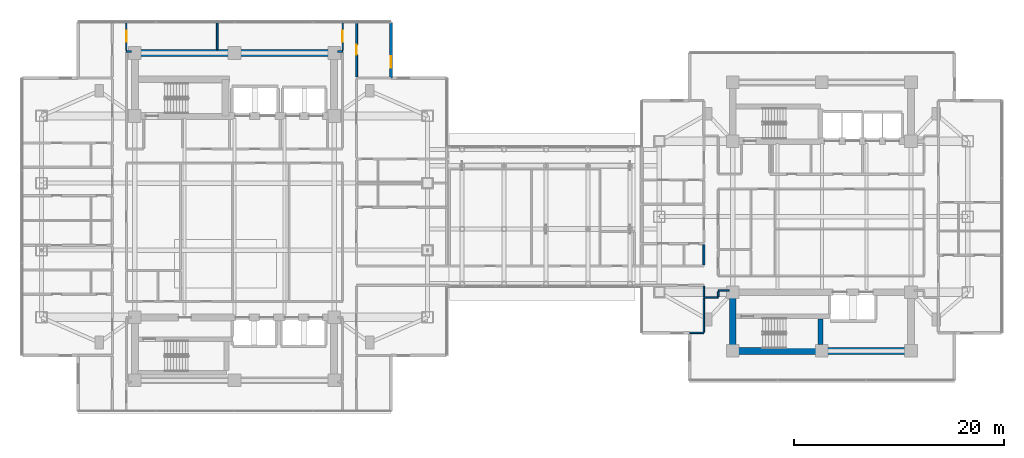
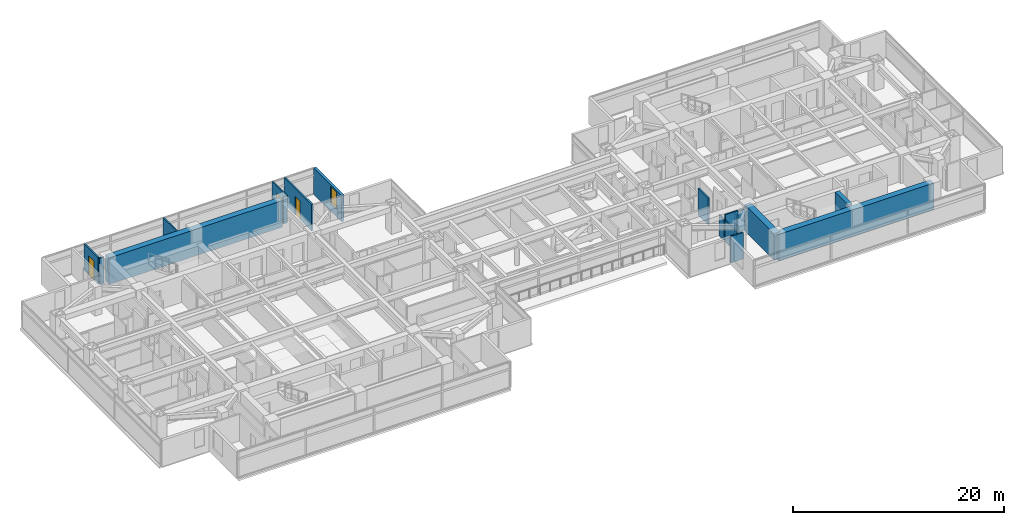
# One storey, part 19 of 29: 18 walls, 3 doors, 1 window, 4 openings.
"""IFC4 building model written with IfcOpenShell, lengths in metres."""

import ifcopenshell
import ifcopenshell.guid

model = None  # the IFC model being written
_history = None  # IfcOwnerHistory: only IFC2X3 demands one
_inside = {}  # id of a spatial element -> (the spatial element, [elements in it])
_under = {}  # id of a project, library or spatial element -> (it, [spatial elements below it])
_declared = {}  # id of a project -> (the project, [libraries it declares])
_typed = {}  # id of a type object -> (the type object, [elements of that type])
_made_of = {}  # id of a material, layer set ... -> (it, [elements and type objects made of it])


def new_model(schema):
    """Start an empty IFC model of exactly this schema.

    Asked for "IFC4X3", IfcOpenShell would pick the latest addendum, in which some entities
    have other attributes; the version numbers below select the first issue.
    IFC2X3 requires an IfcOwnerHistory on every rooted entity: one is made here for all.
    """
    global model, _history
    if schema == "IFC4X3":
        model = ifcopenshell.file(schema_version=(4, 3, 0, 0))
    else:
        model = ifcopenshell.file(schema=schema)
    _inside.clear()
    _under.clear()
    _declared.clear()
    _typed.clear()
    _made_of.clear()
    _history = None
    if model.schema == "IFC2X3":
        org = make("IfcOrganization", Name="unknown")
        user = make(
            "IfcPersonAndOrganization",
            ThePerson=make("IfcPerson", FamilyName="unknown"),
            TheOrganization=org,
        )
        app = make(
            "IfcApplication",
            ApplicationDeveloper=org,
            Version="unknown",
            ApplicationFullName="unknown",
            ApplicationIdentifier="unknown",
        )
        _history = make(
            "IfcOwnerHistory",
            OwningUser=user,
            OwningApplication=app,
            ChangeAction="ADDED",
            CreationDate=0,
        )
    return model


def make(cls, **values):
    """One entity of the class cls with the attributes given. An attribute that is None is left unset."""
    return model.create_entity(
        cls, **{name: value for name, value in values.items() if value is not None}
    )


def rooted(cls, **values):
    """An entity with a GlobalId (a new one), such as an element, a storey or a relation."""
    return make(cls, GlobalId=ifcopenshell.guid.new(), OwnerHistory=_history, **values)


def si_unit(unit_type, name, prefix=None):
    """IfcSIUnit, for example si_unit("LENGTHUNIT", "METRE", prefix="MILLI")."""
    return make("IfcSIUnit", UnitType=unit_type, Prefix=prefix, Name=name)


def assignment(units):
    """IfcUnitAssignment: the units of a project."""
    return None if units is None else make("IfcUnitAssignment", Units=units)


def point(xyz):
    """IfcCartesianPoint."""
    return None if xyz is None else make("IfcCartesianPoint", Coordinates=xyz)


def direction(xyz):
    """IfcDirection."""
    return None if xyz is None else make("IfcDirection", DirectionRatios=xyz)


def frame(location, z_axis=None, x_axis=None):
    """IfcAxis2Placement3D, a coordinate frame: its origin and axes. An axis left out is left unset."""
    return make(
        "IfcAxis2Placement3D",
        Location=point(location),
        Axis=direction(z_axis),
        RefDirection=direction(x_axis),
    )


def frame_2d(location, x_axis=None):
    """IfcAxis2Placement2D, a coordinate frame in the plane: its origin and x axis."""
    return make(
        "IfcAxis2Placement2D", Location=point(location), RefDirection=direction(x_axis)
    )


def origin():
    """The frame at (0, 0, 0) with its axes left unset."""
    return frame((0.0, 0.0, 0.0))


def place(relative_to, where):
    """IfcLocalPlacement: puts the frame where relative to a parent placement (None: the world)."""
    return make(
        "IfcLocalPlacement", PlacementRelTo=relative_to, RelativePlacement=where
    )


def context(
    kind, dimensions, precision=None, world=None, true_north=None, identifier=None
):
    """IfcGeometricRepresentationContext, for example the 3D "Model" context."""
    return make(
        "IfcGeometricRepresentationContext",
        ContextIdentifier=identifier,
        ContextType=kind,
        CoordinateSpaceDimension=dimensions,
        Precision=precision,
        WorldCoordinateSystem=world,
        TrueNorth=true_north,
    )


def subcontext(parent, identifier, kind, view, scale=None):
    """IfcGeometricRepresentationSubContext, for example "Body" below "Model"."""
    return make(
        "IfcGeometricRepresentationSubContext",
        ContextIdentifier=identifier,
        ContextType=kind,
        ParentContext=parent,
        TargetScale=scale,
        TargetView=view,
    )


def project(units=None, contexts=None):
    """IfcProject with its units and contexts."""
    return rooted(
        "IfcProject",
        Name="project",
        RepresentationContexts=contexts,
        UnitsInContext=assignment(units),
    )


def spatial(cls, under=None, at=None, **own):
    """A site, building, storey or space (cls), placed at a placement, below another one or the project."""
    s = rooted(cls, ObjectPlacement=at, **own)
    if under is not None:
        _under.setdefault(under.id(), (under, []))[1].append(s)
    return s


def profile(cls, at=None, kind="AREA", **sizes):
    """A parametric profile (cls). Its sizes go by their IFC names, for example OverallWidth=200.0."""
    return make(cls, ProfileType=kind, Position=at, **sizes)


def rectangle(**sizes):
    """IfcRectangleProfileDef."""
    return profile("IfcRectangleProfileDef", **sizes)


def extrude(swept, where, along, depth):
    """IfcExtrudedAreaSolid: the profile swept, set in the frame where, extruded along a direction by depth."""
    return make(
        "IfcExtrudedAreaSolid",
        SweptArea=swept,
        Position=where,
        ExtrudedDirection=direction(along),
        Depth=depth,
    )


def shape(context_of_items, identifier, shape_type, items):
    """IfcShapeRepresentation: the items that make up one representation, for example the "Body"."""
    return make(
        "IfcShapeRepresentation",
        ContextOfItems=context_of_items,
        RepresentationIdentifier=identifier,
        RepresentationType=shape_type,
        Items=items,
    )


def material(Name=None, Category=None):
    """IfcMaterial."""
    return make("IfcMaterial", Name=Name, Category=Category)


def layer(
    of_material, thickness, ventilated=None, Name=None, Category=None, Priority=None
):
    """IfcMaterialLayer: one layer of a wall or slab, of a material (None: an air gap)."""
    return make(
        "IfcMaterialLayer",
        Material=of_material,
        LayerThickness=thickness,
        IsVentilated=ventilated,
        Name=Name,
        Category=Category,
        Priority=Priority,
    )


def layer_set(layers, Name=None):
    """IfcMaterialLayerSet."""
    return make("IfcMaterialLayerSet", MaterialLayers=layers, LayerSetName=Name)


def made_of(thing, what):
    """Note that an element or type object is made of a material, layer set ...; save() writes the relation."""
    if what is not None:
        _made_of.setdefault(what.id(), (what, []))[1].append(thing)
    return thing


def type_object(cls, material=None, **own):
    """A type object (cls), such as IfcWallType, which elements share."""
    return made_of(rooted(cls, **own), material)


def element(
    cls,
    number,
    at=None,
    inside=None,
    cuts=None,
    type_object=None,
    material=None,
    context=None,
    identifier="Body",
    shape_type=None,
    held_by="IfcProductDefinitionShape",
    body=None,
    shapes=None,
    **own,
):
    """One element of the class cls, such as IfcWall. Its Tag is "e" and its number.

    at: its placement. inside: the storey or other place that contains it. cuts: it is an
    opening in that element (IfcRelVoidsElement). A single representation is given by context,
    identifier, shape_type and body (its items); several are given by shapes. held_by: the class
    of the entity that holds the representations. save() writes the other relations.
    """
    e = rooted(cls, Tag="e%d" % number, ObjectPlacement=at, **own)
    if body is not None:
        shapes = [shape(context, identifier, shape_type, body)]
    if shapes is not None:
        e.Representation = make(held_by, Representations=shapes)
    if inside is not None:
        _inside.setdefault(inside.id(), (inside, []))[1].append(e)
    if cuts is not None:
        rooted(
            "IfcRelVoidsElement", RelatingBuildingElement=cuts, RelatedOpeningElement=e
        )
    if type_object is not None:
        _typed.setdefault(type_object.id(), (type_object, []))[1].append(e)
    return made_of(e, material)


def fill(opening, filler):
    """IfcRelFillsElement: the door or window that sits in an opening."""
    return rooted(
        "IfcRelFillsElement",
        RelatingOpeningElement=opening,
        RelatedBuildingElement=filler,
    )


def aggregate(whole, parts):
    """IfcRelAggregates: a whole, such as a stair, and the parts it consists of."""
    return rooted("IfcRelAggregates", RelatingObject=whole, RelatedObjects=parts)


def save(model, path):
    """Write the relations noted so far, then the file.

    IfcRelAggregates (storeys below a building ...), IfcRelContainedInSpatialStructure (elements
    in a storey), IfcRelDefinesByType, IfcRelAssociatesMaterial and IfcRelDeclares: one each for
    every whole, place, type object, material and project.
    """
    for whole, parts in _under.values():
        aggregate(whole, parts)
    for where, things in _inside.values():
        rooted(
            "IfcRelContainedInSpatialStructure",
            RelatedElements=things,
            RelatingStructure=where,
        )
    for kind, things in _typed.values():
        rooted("IfcRelDefinesByType", RelatedObjects=things, RelatingType=kind)
    for what, things in _made_of.values():
        rooted("IfcRelAssociatesMaterial", RelatedObjects=things, RelatingMaterial=what)
    for by, libraries in _declared.values():
        rooted("IfcRelDeclares", RelatingContext=by, RelatedDefinitions=libraries)
    model.write(path)


model = new_model("IFC4")

# Units and contexts
model_context = context("Model", 3, precision=1e-05, world=origin(), true_north=direction((0.0, 1.0)))
body_context = subcontext(model_context, "Body", "Model", "MODEL_VIEW")
ifc_project = project(units=[si_unit("LENGTHUNIT", "METRE"), si_unit("AREAUNIT", "SQUARE_METRE"), si_unit("VOLUMEUNIT", "CUBIC_METRE"), si_unit("PLANEANGLEUNIT", "RADIAN"), si_unit("MASSUNIT", "GRAM", prefix="KILO")], contexts=[model_context])

# Site, building, storey
site_placement = place(None, origin())
site = spatial("IfcSite", under=ifc_project, at=site_placement, CompositionType="ELEMENT")
building_placement = place(site_placement, origin())
building = spatial("IfcBuilding", under=site, at=building_placement, Name="Mirazonda Arch Towers", CompositionType="ELEMENT")
storey_placement = place(building_placement, frame((0.0, 0.0, 88.39990234375)))
storey = spatial("IfcBuildingStorey", under=building, at=storey_placement, Name="L24", CompositionType="ELEMENT", Elevation=88.39990234375)

# Walls
ifc_material_1 = material(Name="Concrete C50/60", Category="concrete")
ifc_layer_1 = layer(ifc_material_1, 0.449951171875, Name="WALL-CORE-450")
ifc_layer_set_1 = layer_set([ifc_layer_1], Name="Concrete C50/60")
wall_type_1 = type_object("IfcWallType", Name="WALL-CORE-450", PredefinedType="SHEAR", material=ifc_layer_set_1)
wall_1_placement = place(storey_placement, frame((76.360107421875, 15.81494140625, 0.0), z_axis=(0.0, 0.0, 1.0), x_axis=(0.0, 1.0, 0.0)))
element("IfcWall", 1, at=wall_1_placement, inside=storey, type_object=wall_type_1, Name="L24 Stair Core Shear Wall 154", PredefinedType="SHEAR", context=body_context, shape_type="SweptSolid", body=[
    extrude(rectangle(XDim=2.449951171875, YDim=0.449951171875, at=frame_2d((1.22509765625, 0.0))), origin(), (0.0, 0.0, 1.0), 3.080078125),
])
ifc_material_2 = material(Name="Concrete C60/75", Category="concrete")
ifc_layer_2 = layer(ifc_material_2, 0.64990234375, Name="WALL-CORE-650")
ifc_layer_set_2 = layer_set([ifc_layer_2], Name="Concrete C60/75")
wall_type_2 = type_object("IfcWallType", Name="WALL-CORE-650", PredefinedType="SHEAR", material=ifc_layer_set_2)
wall_2_placement = place(storey_placement, frame((11.0, 43.60009765625, 0.0), z_axis=(0.0, 0.0, 1.0), x_axis=(1.0, 0.0, 0.0)))
element("IfcWall", 2, at=wall_2_placement, inside=storey, type_object=wall_type_2, Name="L24 T1N-N Core Shear Wall", PredefinedType="SHEAR", context=body_context, shape_type="SweptSolid", body=[
    extrude(rectangle(XDim=19.0, YDim=0.64990234375, at=frame_2d((9.5, 0.0))), origin(), (0.0, 0.0, 1.0), 3.080078125),
])
wall_3_placement = place(storey_placement, frame((68.0, 15.199951171875, 0.0), z_axis=(0.0, 0.0, 1.0), x_axis=(1.0, 0.0, 0.0)))
element("IfcWall", 3, at=wall_3_placement, inside=storey, type_object=wall_type_2, Name="L24 T2S-S Core Shear Wall", PredefinedType="SHEAR", context=body_context, shape_type="SweptSolid", body=[
    extrude(rectangle(XDim=17.0, YDim=0.64990234375, at=frame_2d((8.5, 0.0))), origin(), (0.0, 0.0, 1.0), 3.080078125),
])
wall_4_placement = place(storey_placement, frame((68.0, 15.199951171875, 0.0), z_axis=(0.0, 0.0, 1.0), x_axis=(0.0, 1.0, 0.0)))
element("IfcWall", 4, at=wall_4_placement, inside=storey, type_object=wall_type_2, Name="L24 T2S-W Core Shear Wall", PredefinedType="SHEAR", context=body_context, shape_type="SweptSolid", body=[
    extrude(rectangle(XDim=5.60009765625, YDim=0.64990234375, at=frame_2d((2.800048828125, 0.0))), origin(), (0.0, 0.0, 1.0), 3.080078125),
])

# Wall, opening, window
ifc_material_3 = material(Name="Precast Concrete C40/50", Category="concrete")
ifc_layer_3 = layer(ifc_material_3, 0.280029296875, Name="WALL-EXT-WALL-280")
ifc_layer_set_3 = layer_set([ifc_layer_3], Name="Precast Concrete C40/50")
wall_type_3 = type_object("IfcWallType", Name="WALL-EXT-WALL-280", PredefinedType="SOLIDWALL", material=ifc_layer_set_3)
wall_5_placement = place(storey_placement, frame((35.425048828125, 41.22509765625, 0.0), z_axis=(0.0, 0.0, 1.0), x_axis=(0.0, 1.0, 0.0)))
wall_5 = element("IfcWall", 5, at=wall_5_placement, inside=storey, type_object=wall_type_3, Name="L24 T1 Notched NE Corner Wall WL-L24-T1-CNE", PredefinedType="SOLIDWALL", context=body_context, shape_type="SweptSolid", body=[
    extrude(rectangle(XDim=5.304931640625, YDim=0.280029296875, at=frame_2d((2.65234375, 0.0))), origin(), (0.0, 0.0, 1.0), 3.06005859375),
])
opening_1_placement = place(wall_5_placement, frame((0.949951171875, 0.0, 0.85009765625)))
opening_1 = element("IfcOpeningElement", 6, at=opening_1_placement, cuts=wall_5, Name="Opening WN-108", PredefinedType="OPENING", context=body_context, shape_type="SweptSolid", body=[
    extrude(rectangle(XDim=1.10009765625, YDim=2.0, at=frame_2d((0.550048828125, 1.0))), frame((0.0, 0.14990234375, 0.0), z_axis=(0.0, -1.0, 0.0), x_axis=(1.0, 0.0, 0.0)), (0.0, 0.0, 1.0), 0.300048828125),
])
ifc_material_4 = material(Name="Insulated Low-E Solar Glass", Category="glass")
window_type = type_object("IfcWindowType", Name="WIN-NOTCH-1100x2000", PartitioningType="SINGLE_PANEL", PredefinedType="WINDOW", material=ifc_material_4)
window_placement = place(opening_1_placement, origin())
window = element("IfcWindow", 7, at=window_placement, inside=storey, type_object=window_type, Name="L24 Punched Facade Window WN-L24-T1-CNE", OverallHeight=2.0, OverallWidth=1.10009765625, PartitioningType="SINGLE_PANEL", PredefinedType="WINDOW", context=body_context, shape_type="SweptSolid", body=[
    extrude(rectangle(XDim=1.10009765625, YDim=2.0, at=frame_2d((0.550048828125, 1.0))), frame((0.0, 0.030029296875, 0.0), z_axis=(0.0, -1.0, 0.0), x_axis=(1.0, 0.0, 0.0)), (0.0, 0.0, 1.0), 0.06005859375),
])
fill(opening_1, window)

# Walls
ifc_material_5 = material(Name="Fire-Rated Gypsum Stud Partition")
ifc_layer_4 = layer(ifc_material_5, 0.14990234375, Name="WALL-PART-CORR-150")
ifc_layer_set_4 = layer_set([ifc_layer_4], Name="Fire-Rated Gypsum Stud Partition")
wall_type_4 = type_object("IfcWallType", Name="WALL-PART-CORR-150", PredefinedType="PARTITIONING", material=ifc_layer_set_4)
wall_6_placement = place(storey_placement, frame((63.893798828125, 16.9189453125, 0.0), z_axis=(0.0, 0.0, 1.0), x_axis=(1.0, 0.0, 0.0)))
element("IfcWall", 8, at=wall_6_placement, inside=storey, type_object=wall_type_4, Name="L24 Interior Partition 009", PredefinedType="PARTITIONING", context=body_context, shape_type="SweptSolid", body=[
    extrude(rectangle(XDim=1.356201171875, YDim=0.14990234375, at=frame_2d((0.67822265625, 0.0))), origin(), (0.0, 0.0, 1.0), 3.080078125),
])
wall_7_placement = place(storey_placement, frame((65.25, 20.300048828125, 0.0), z_axis=(0.0, 0.0, 1.0), x_axis=(1.0, 0.0, 0.0)))
element("IfcWall", 9, at=wall_7_placement, inside=storey, type_object=wall_type_4, Name="L24 Interior Partition 016", PredefinedType="PARTITIONING", context=body_context, shape_type="SweptSolid", body=[
    extrude(rectangle(XDim=1.3701171875, YDim=0.14990234375, at=frame_2d((0.68505859375, 0.0))), origin(), (0.0, 0.0, 1.0), 3.080078125),
])
wall_8_placement = place(storey_placement, frame((66.6201171875, 20.949951171875, 0.0), z_axis=(0.0, 0.0, 1.0), x_axis=(1.0, 0.0, 0.0)))
element("IfcWall", 10, at=wall_8_placement, inside=storey, type_object=wall_type_4, Name="L24 Interior Partition 019", PredefinedType="PARTITIONING", context=body_context, shape_type="SweptSolid", body=[
    extrude(rectangle(XDim=1.059814453125, YDim=0.14990234375, at=frame_2d((0.52978515625, 0.0))), origin(), (0.0, 0.0, 1.0), 2.47216796875),
])
for number, where, z_axis, x_axis, name in (
    (11, (10.199951171875, 43.75, 0.0), (0.0, 0.0, 1.0), (1.0, 0.0, 0.0), "L24 Interior Partition 063"),
    (12, (30.320068359375, 43.75, 0.0), (0.0, 0.0, 1.0), (1.0, 0.0, 0.0), "L24 Interior Partition 064"),
):
    element("IfcWall", number, at=place(storey_placement, frame(where, z_axis=z_axis, x_axis=x_axis)), inside=storey, type_object=wall_type_4, Name=name, PredefinedType="PARTITIONING", context=body_context, shape_type="SweptSolid", body=[
        extrude(rectangle(XDim=0.47998046875, YDim=0.14990234375, at=frame_2d((0.239990234375, 0.0))), origin(), (0.0, 0.0, 1.0), 3.080078125),
    ])

# Wall, opening, door
wall_9_placement = place(storey_placement, frame((10.199951171875, 43.8349609375, 0.0), z_axis=(0.0, 0.0, 1.0), x_axis=(0.0, 1.0, 0.0)))
wall_9 = element("IfcWall", 13, at=wall_9_placement, inside=storey, type_object=wall_type_4, Name="L24 Interior Partition 084", PredefinedType="PARTITIONING", context=body_context, shape_type="SweptSolid", body=[
    extrude(rectangle(XDim=2.695068359375, YDim=0.14990234375, at=frame_2d((1.34765625, 0.0))), origin(), (0.0, 0.0, 1.0), 3.080078125),
])
opening_2_placement = place(wall_9_placement, frame((0.822509765625, 0.0, 0.0)))
opening_2 = element("IfcOpeningElement", 14, at=opening_2_placement, cuts=wall_9, Name="Opening DR-121", PredefinedType="OPENING", context=body_context, shape_type="SweptSolid", body=[
    extrude(rectangle(XDim=1.050048828125, YDim=2.199951171875, at=frame_2d((0.52490234375, 1.10009765625))), frame((0.0, 0.0849609375, 0.0), z_axis=(0.0, -1.0, 0.0), x_axis=(1.0, 0.0, 0.0)), (0.0, 0.0, 1.0), 0.169921875),
])
ifc_material_6 = material(Name="Architectural Brushed Steel S355", Category="steel")
door_type_1 = type_object("IfcDoorType", Name="DOOR-SUITE-FD60-1050", OperationType="NOTDEFINED", PredefinedType="DOOR", material=ifc_material_6)
door_1_placement = place(opening_2_placement, origin())
door_1 = element("IfcDoor", 15, at=door_1_placement, inside=storey, type_object=door_type_1, Name="L24 North Reading Salon West Door", OperationType="SINGLE_SWING_LEFT", OverallHeight=2.199951171875, OverallWidth=1.050048828125, PredefinedType="DOOR", context=body_context, shape_type="SweptSolid", body=[
    extrude(rectangle(XDim=1.050048828125, YDim=2.199951171875, at=frame_2d((0.52490234375, 1.10009765625))), frame((0.0, 0.02490234375, 0.0), z_axis=(0.0, -1.0, 0.0), x_axis=(1.0, 0.0, 0.0)), (0.0, 0.0, 1.0), 0.050048828125),
])
fill(opening_2, door_1)

# Wall
wall_10_placement = place(storey_placement, frame((18.85205078125, 43.919921875, 0.0), z_axis=(0.0, 0.0, 1.0), x_axis=(0.0, 1.0, 0.0)))
element("IfcWall", 16, at=wall_10_placement, inside=storey, type_object=wall_type_4, Name="L24 Interior Partition 090", PredefinedType="PARTITIONING", context=body_context, shape_type="SweptSolid", body=[
    extrude(rectangle(XDim=2.610107421875, YDim=0.14990234375, at=frame_2d((1.30517578125, 0.0))), origin(), (0.0, 0.0, 1.0), 3.080078125),
])

# Wall, opening, door
wall_11_placement = place(storey_placement, frame((30.800048828125, 43.8349609375, 0.0), z_axis=(0.0, 0.0, 1.0), x_axis=(0.0, 1.0, 0.0)))
wall_11 = element("IfcWall", 17, at=wall_11_placement, inside=storey, type_object=wall_type_4, Name="L24 Interior Partition 110", PredefinedType="PARTITIONING", context=body_context, shape_type="SweptSolid", body=[
    extrude(rectangle(XDim=2.695068359375, YDim=0.14990234375, at=frame_2d((1.34765625, 0.0))), origin(), (0.0, 0.0, 1.0), 3.080078125),
])
opening_3_placement = place(wall_11_placement, frame((0.822509765625, 0.0, 0.0)))
opening_3 = element("IfcOpeningElement", 18, at=opening_3_placement, cuts=wall_11, Name="Opening DR-121", PredefinedType="OPENING", context=body_context, shape_type="SweptSolid", body=[
    extrude(rectangle(XDim=1.050048828125, YDim=2.199951171875, at=frame_2d((0.52490234375, 1.10009765625))), frame((0.0, 0.0849609375, 0.0), z_axis=(0.0, -1.0, 0.0), x_axis=(1.0, 0.0, 0.0)), (0.0, 0.0, 1.0), 0.169921875),
])
door_2_placement = place(opening_3_placement, origin())
door_2 = element("IfcDoor", 19, at=door_2_placement, inside=storey, type_object=door_type_1, Name="L24 North Reading Salon East Door", OperationType="SINGLE_SWING_RIGHT", OverallHeight=2.199951171875, OverallWidth=1.050048828125, PredefinedType="DOOR", context=body_context, shape_type="SweptSolid", body=[
    extrude(rectangle(XDim=1.050048828125, YDim=2.199951171875, at=frame_2d((0.52490234375, 1.10009765625))), frame((0.0, 0.02490234375, 0.0), z_axis=(0.0, -1.0, 0.0), x_axis=(1.0, 0.0, 0.0)), (0.0, 0.0, 1.0), 0.050048828125),
])
fill(opening_3, door_2)

# Walls
wall_12_placement = place(storey_placement, frame((65.25, 17.00390625, 0.0), z_axis=(0.0, 0.0, 1.0), x_axis=(0.0, 1.0, 0.0)))
element("IfcWall", 20, at=wall_12_placement, inside=storey, type_object=wall_type_4, Name="L24 Interior Partition 135", PredefinedType="PARTITIONING", context=body_context, shape_type="SweptSolid", body=[
    extrude(rectangle(XDim=3.211181640625, YDim=0.14990234375, at=frame_2d((1.60546875, 0.0))), origin(), (0.0, 0.0, 1.0), 2.4560546875),
])
wall_13_placement = place(storey_placement, frame((65.25, 20.385009765625, 0.0), z_axis=(0.0, 0.0, 1.0), x_axis=(0.0, 1.0, 0.0)))
element("IfcWall", 21, at=wall_13_placement, inside=storey, type_object=wall_type_4, Name="L24 Interior Partition 136", PredefinedType="PARTITIONING", context=body_context, shape_type="SweptSolid", body=[
    extrude(rectangle(XDim=0.965087890625, YDim=0.14990234375, at=frame_2d((0.482421875, 0.0))), origin(), (0.0, 0.0, 1.0), 2.47216796875),
])
wall_14_placement = place(storey_placement, frame((66.6201171875, 20.385009765625, 0.0), z_axis=(0.0, 0.0, 1.0), x_axis=(0.0, 1.0, 0.0)))
element("IfcWall", 22, at=wall_14_placement, inside=storey, type_object=wall_type_4, Name="L24 Interior Partition 142", PredefinedType="PARTITIONING", context=body_context, shape_type="SweptSolid", body=[
    extrude(rectangle(XDim=0.47998046875, YDim=0.14990234375, at=frame_2d((0.239990234375, 0.0))), origin(), (0.0, 0.0, 1.0), 2.47216796875),
])

# Wall, opening, door
ifc_material_7 = material(Name="Fire-Rated Gypsum Twin-Stud Assembly")
ifc_layer_5 = layer(ifc_material_7, 0.179931640625, Name="WALL-PART-DEMISE-180")
ifc_layer_set_5 = layer_set([ifc_layer_5], Name="Fire-Rated Gypsum Twin-Stud Assembly")
wall_type_5 = type_object("IfcWallType", Name="WALL-PART-DEMISE-180", PredefinedType="PARTITIONING", material=ifc_layer_set_5)
wall_15_placement = place(storey_placement, frame((32.139892578125, 41.324951171875, 0.0), z_axis=(0.0, 0.0, 1.0), x_axis=(0.0, 1.0, 0.0)))
wall_15 = element("IfcWall", 23, at=wall_15_placement, inside=storey, type_object=wall_type_5, Name="L24 Interior Partition 117", PredefinedType="PARTITIONING", context=body_context, shape_type="SweptSolid", body=[
    extrude(rectangle(XDim=5.205078125, YDim=0.179931640625, at=frame_2d((2.6025390625, 0.0))), origin(), (0.0, 0.0, 1.0), 3.080078125),
])
opening_4_placement = place(wall_15_placement, frame((2.12744140625, 0.0, 0.0)))
opening_4 = element("IfcOpeningElement", 24, at=opening_4_placement, cuts=wall_15, Name="Opening DR-104", PredefinedType="OPENING", context=body_context, shape_type="SweptSolid", body=[
    extrude(rectangle(XDim=0.949951171875, YDim=2.14990234375, at=frame_2d((0.47509765625, 1.074951171875))), frame((0.0, 0.099853515625, 0.0), z_axis=(0.0, -1.0, 0.0), x_axis=(1.0, 0.0, 0.0)), (0.0, 0.0, 1.0), 0.199951171875),
])
door_type_2 = type_object("IfcDoorType", Name="DOOR-ROOM-950", OperationType="NOTDEFINED", PredefinedType="DOOR", material=ifc_material_6)
door_3_placement = place(opening_4_placement, origin())
door_3 = element("IfcDoor", 25, at=door_3_placement, inside=storey, type_object=door_type_2, Name="L24 North Reading Salon Alcove East Door", OperationType="SINGLE_SWING_RIGHT", OverallHeight=2.14990234375, OverallWidth=0.949951171875, PredefinedType="DOOR", context=body_context, shape_type="SweptSolid", body=[
    extrude(rectangle(XDim=0.949951171875, YDim=2.14990234375, at=frame_2d((0.47509765625, 1.074951171875))), frame((0.0, 0.02490234375, 0.0), z_axis=(0.0, -1.0, 0.0), x_axis=(1.0, 0.0, 0.0)), (0.0, 0.0, 1.0), 0.050048828125),
])
fill(opening_4, door_3)

# Wall
wall_16_placement = place(storey_placement, frame((65.25, 23.39990234375, 0.0), z_axis=(0.0, 0.0, 1.0), x_axis=(0.0, 1.0, 0.0)))
element("IfcWall", 26, at=wall_16_placement, inside=storey, type_object=wall_type_5, Name="L24 Interior Partition 137", PredefinedType="PARTITIONING", context=body_context, shape_type="SweptSolid", body=[
    extrude(rectangle(XDim=1.924072265625, YDim=0.179931640625, at=frame_2d((0.9619140625, 0.0))), origin(), (0.0, 0.0, 1.0), 3.080078125),
])

save(model, "model.ifc")
